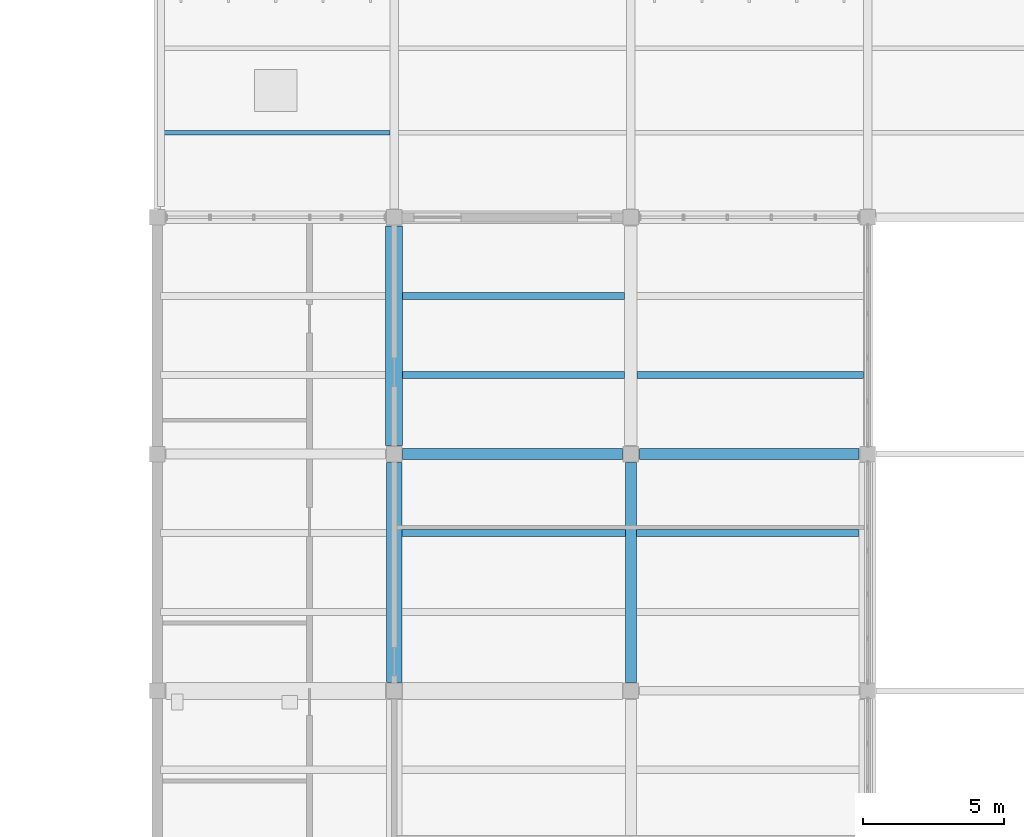
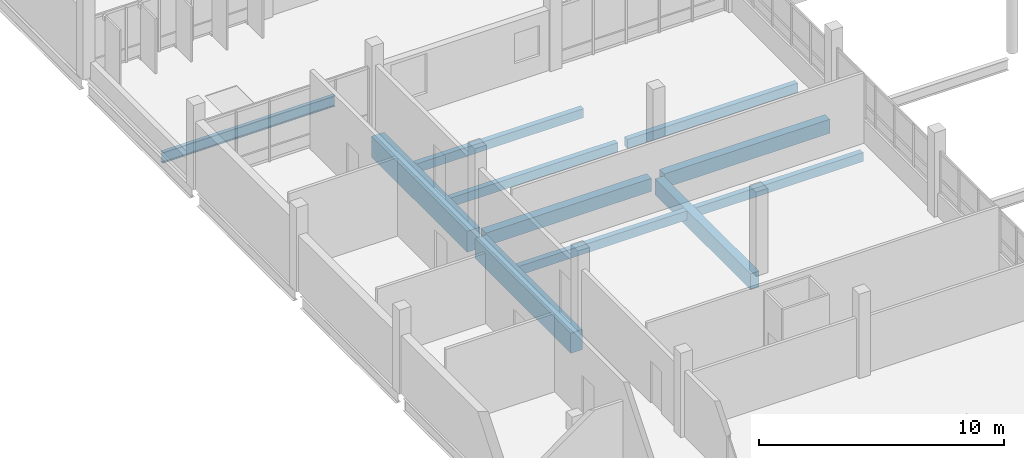
# One storey, part 52 of 130: 11 beams.
"""IFC4 building model written with IfcOpenShell, lengths in metres."""

from ifc_helpers import new_model, si_unit, direction, frame, origin, origin_2d, place, context, subcontext, project, spatial, rectangle, i_section, extrude, material, material_profile, profile_set, type_object, element, save


model = new_model("IFC4")

# Units and contexts
model_context = context("Model", 3, precision=1e-05, world=origin(), true_north=direction((0.0, 1.0)))
body_context = subcontext(model_context, "Body", "Model", "MODEL_VIEW")
ifc_project = project(units=[si_unit("LENGTHUNIT", "METRE"), si_unit("AREAUNIT", "SQUARE_METRE"), si_unit("VOLUMEUNIT", "CUBIC_METRE"), si_unit("PLANEANGLEUNIT", "RADIAN"), si_unit("MASSUNIT", "GRAM", prefix="KILO")], contexts=[model_context])

# Site, building, storey
site_placement = place(None, origin())
site = spatial("IfcSite", under=ifc_project, at=site_placement, CompositionType="ELEMENT")
building_placement = place(site_placement, origin())
building = spatial("IfcBuilding", under=site, at=building_placement, Name="Vireocrest Preparatory School", CompositionType="ELEMENT")
storey_placement = place(building_placement, frame((0.0, 0.0, 9.0)))
storey = spatial("IfcBuildingStorey", under=building, at=storey_placement, Name="L02", CompositionType="ELEMENT", Elevation=9.0)

# Beams
ifc_material_1 = material(Name="Structural steel ASTM A992 Grade 50", Category="steel")
ifc_material_profile_1 = material_profile(ifc_material_1, i_section(OverallWidth=0.166015625, OverallDepth=0.529052734375, WebThickness=0.009765625, FlangeThickness=0.013671875, FilletRadius=0.014892578125, at=origin_2d()), Name="W21X50")
ifc_profile_set_1 = profile_set([ifc_material_profile_1], Name="Structural steel ASTM A992 Grade 50")
beam_type_1 = type_object("IfcBeamType", Name="Pavilion Roof Joist W21X50", PredefinedType="JOIST", material=ifc_profile_set_1)
beam_1_placement = place(storey_placement, frame((42.114013671875, 88.800048828125, -0.484619140625), z_axis=(1.0, 0.0, 0.0), x_axis=(0.0, 1.0, 0.0)))
element("IfcBeam", 1, at=beam_1_placement, inside=storey, type_object=beam_type_1, Name="Secondary Joist SJ1 L02-0904", PredefinedType="JOIST", context=body_context, shape_type="SweptSolid", body=[
    extrude(i_section(OverallWidth=0.166015625, OverallDepth=0.529052734375, WebThickness=0.009765625, FlangeThickness=0.013671875, FilletRadius=0.014892578125, at=origin_2d()), origin(), (0.0, 0.0, 1.0), 8.135986328125),
])
ifc_material_2 = material(Name="Concrete 40 MPa", Category="concrete")
ifc_material_profile_2 = material_profile(ifc_material_2, rectangle(XDim=0.550048828125, YDim=1.0, at=origin_2d()), Name="RC 550x1000")
ifc_profile_set_2 = profile_set([ifc_material_profile_2], Name="Concrete 40 MPa")
beam_type_2 = type_object("IfcBeamType", Name="RC Core Coupling Beam 550x1000", PredefinedType="BEAM", material=ifc_profile_set_2)
beam_2_placement = place(storey_placement, frame((50.39990234375, 69.300048828125, -0.739990234375), z_axis=(0.0, 1.0, 0.0), x_axis=(-1.0, 0.0, 0.0)))
element("IfcBeam", 2, at=beam_2_placement, inside=storey, type_object=beam_type_2, Name="Primary Girder B18 L02-0803", PredefinedType="BEAM", context=body_context, shape_type="SweptSolid", body=[
    extrude(rectangle(XDim=0.550048828125, YDim=1.0, at=origin_2d()), origin(), (0.0, 0.0, 1.0), 7.800048828125),
])
ifc_material_profile_3 = material_profile(ifc_material_2, rectangle(XDim=0.39990234375, YDim=0.699951171875, at=origin_2d()), Name="RC 400x700")
ifc_profile_set_3 = profile_set([ifc_material_profile_3], Name="Concrete 40 MPa")
beam_type_3 = type_object("IfcBeamType", Name="RC Corridor Girder 400x700", PredefinedType="BEAM", material=ifc_profile_set_3)
beam_3_placement = place(storey_placement, frame((59.10009765625, 77.39990234375, -0.590087890625), z_axis=(1.0, 0.0, 0.0), x_axis=(0.0, 1.0, 0.0)))
element("IfcBeam", 3, at=beam_3_placement, inside=storey, type_object=beam_type_3, Name="Primary Girder B08 L02-0744", PredefinedType="BEAM", context=body_context, shape_type="SweptSolid", body=[
    extrude(rectangle(XDim=0.39990234375, YDim=0.699951171875, at=origin_2d()), origin(), (0.0, 0.0, 1.0), 7.7998046875),
])
ifc_material_profile_4 = material_profile(ifc_material_2, rectangle(XDim=0.39990234375, YDim=0.64990234375, at=origin_2d()), Name="RC 400x650")
ifc_profile_set_4 = profile_set([ifc_material_profile_4], Name="Concrete 40 MPa")
beam_type_4 = type_object("IfcBeamType", Name="RC Laboratory Girder 400x650", PredefinedType="BEAM", material=ifc_profile_set_4)
beam_4_placement = place(storey_placement, frame((50.699951171875, 77.39990234375, -0.56494140625), z_axis=(1.0, 0.0, 0.0), x_axis=(0.0, 1.0, 0.0)))
element("IfcBeam", 4, at=beam_4_placement, inside=storey, type_object=beam_type_4, Name="Primary Girder B07 L02-0743", PredefinedType="BEAM", context=body_context, shape_type="SweptSolid", body=[
    extrude(rectangle(XDim=0.39990234375, YDim=0.64990234375, at=origin_2d()), origin(), (0.0, 0.0, 1.0), 7.800048828125),
])
ifc_material_profile_5 = material_profile(ifc_material_2, rectangle(XDim=0.39990234375, YDim=0.800048828125, at=origin_2d()), Name="RC 400x800")
ifc_profile_set_5 = profile_set([ifc_material_profile_5], Name="Concrete 40 MPa")
beam_type_5 = type_object("IfcBeamType", Name="RC Library Reading Girder 400x800", PredefinedType="BEAM", material=ifc_profile_set_5)
beam_5_placement = place(storey_placement, frame((58.800048828125, 69.300048828125, -0.639892578125), z_axis=(0.0, 1.0, 0.0), x_axis=(-1.0, 0.0, 0.0)))
element("IfcBeam", 5, at=beam_5_placement, inside=storey, type_object=beam_type_5, Name="Primary Girder B10 L02-0813", PredefinedType="BEAM", context=body_context, shape_type="SweptSolid", body=[
    extrude(rectangle(XDim=0.39990234375, YDim=0.800048828125, at=origin_2d()), origin(), (0.0, 0.0, 1.0), 7.800048828125),
])
ifc_material_profile_6 = material_profile(ifc_material_2, rectangle(XDim=0.25, YDim=0.449951171875, at=origin_2d()), Name="RC 250x450")
ifc_profile_set_6 = profile_set([ifc_material_profile_6], Name="Concrete 40 MPa")
beam_type_6 = type_object("IfcBeamType", Name="RC Secondary Floor Joist 250x450", PredefinedType="JOIST", material=ifc_profile_set_6)
beam_6_placement = place(storey_placement, frame((50.675048828125, 74.60009765625, -0.465087890625), z_axis=(1.0, 0.0, 0.0), x_axis=(0.0, 1.0, 0.0)))
element("IfcBeam", 6, at=beam_6_placement, inside=storey, type_object=beam_type_6, Name="Secondary Joist J01 L02-0919", PredefinedType="JOIST", context=body_context, shape_type="SweptSolid", body=[
    extrude(rectangle(XDim=0.25, YDim=0.449951171875, at=origin_2d()), origin(), (0.0, 0.0, 1.0), 7.925048828125),
])
for number, where, z_axis, x_axis, name in (
    (7, (50.699951171875, 80.199951171875, -0.465087890625), (1.0, 0.0, 0.0), (0.0, 1.0, 0.0), "Secondary Joist J01 L02-0920"),
    (8, (50.699951171875, 83.0, -0.465087890625), (1.0, 0.0, 0.0), (0.0, 1.0, 0.0), "Secondary Joist J01 L02-0921"),
):
    element("IfcBeam", number, at=place(storey_placement, frame(where, z_axis=z_axis, x_axis=x_axis)), inside=storey, type_object=beam_type_6, Name=name, PredefinedType="JOIST", context=body_context, shape_type="SweptSolid", body=[
        extrude(rectangle(XDim=0.25, YDim=0.449951171875, at=origin_2d()), origin(), (0.0, 0.0, 1.0), 7.875),
    ])
beam_7_placement = place(storey_placement, frame((59.0, 74.60009765625, -0.465087890625), z_axis=(1.0, 0.0, 0.0), x_axis=(0.0, 1.0, 0.0)))
element("IfcBeam", 9, at=beam_7_placement, inside=storey, type_object=beam_type_6, Name="Secondary Joist J01 L02-0937", PredefinedType="JOIST", context=body_context, shape_type="SweptSolid", body=[
    extrude(rectangle(XDim=0.25, YDim=0.449951171875, at=origin_2d()), origin(), (0.0, 0.0, 1.0), 7.89990234375),
])
beam_8_placement = place(storey_placement, frame((59.02490234375, 80.199951171875, -0.465087890625), z_axis=(1.0, 0.0, 0.0), x_axis=(0.0, 1.0, 0.0)))
element("IfcBeam", 10, at=beam_8_placement, inside=storey, type_object=beam_type_6, Name="Secondary Joist J01 L02-0938", PredefinedType="JOIST", context=body_context, shape_type="SweptSolid", body=[
    extrude(rectangle(XDim=0.25, YDim=0.449951171875, at=origin_2d()), origin(), (0.0, 0.0, 1.0), 8.025146484375),
])
ifc_material_profile_7 = material_profile(ifc_material_2, rectangle(XDim=0.60009765625, YDim=1.050048828125, at=origin_2d()), Name="RC 600x1050")
ifc_profile_set_7 = profile_set([ifc_material_profile_7], Name="Concrete 40 MPa")
beam_type_7 = type_object("IfcBeamType", Name="RC Transfer Girder 600x1050", PredefinedType="BEAM", material=ifc_profile_set_7)
beam_9_placement = place(storey_placement, frame((50.39990234375, 77.699951171875, -0.764892578125), z_axis=(0.0, 1.0, 0.0), x_axis=(-1.0, 0.0, 0.0)))
element("IfcBeam", 11, at=beam_9_placement, inside=storey, type_object=beam_type_7, Name="Primary Girder B19 L02-0804", PredefinedType="BEAM", context=body_context, shape_type="SweptSolid", body=[
    extrude(rectangle(XDim=0.60009765625, YDim=1.050048828125, at=origin_2d()), origin(), (0.0, 0.0, 1.0), 7.800048828125),
])

save(model, "model.ifc")
